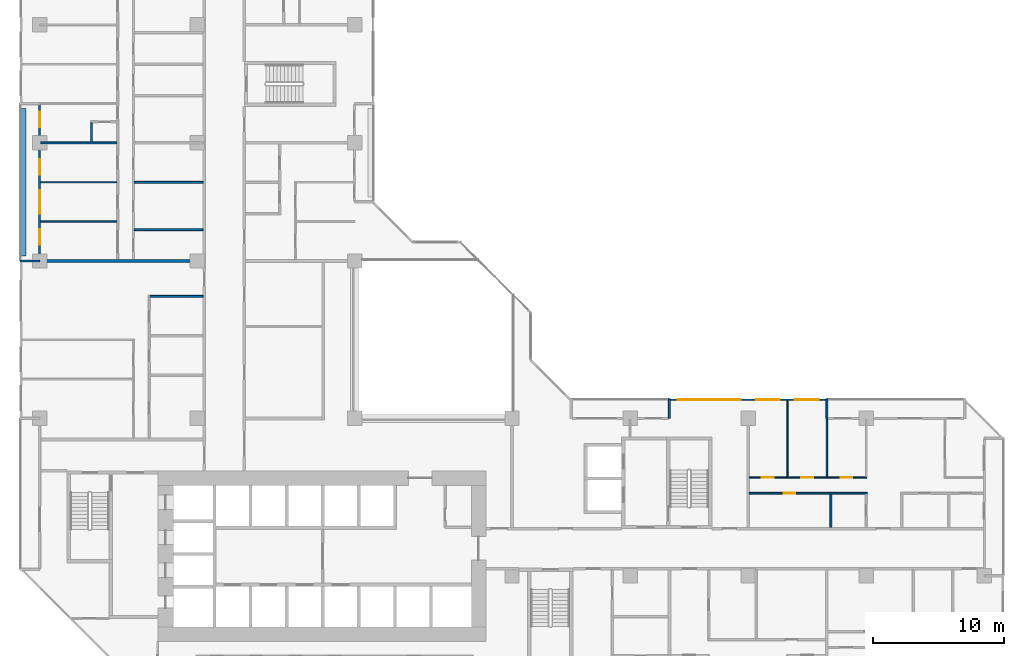
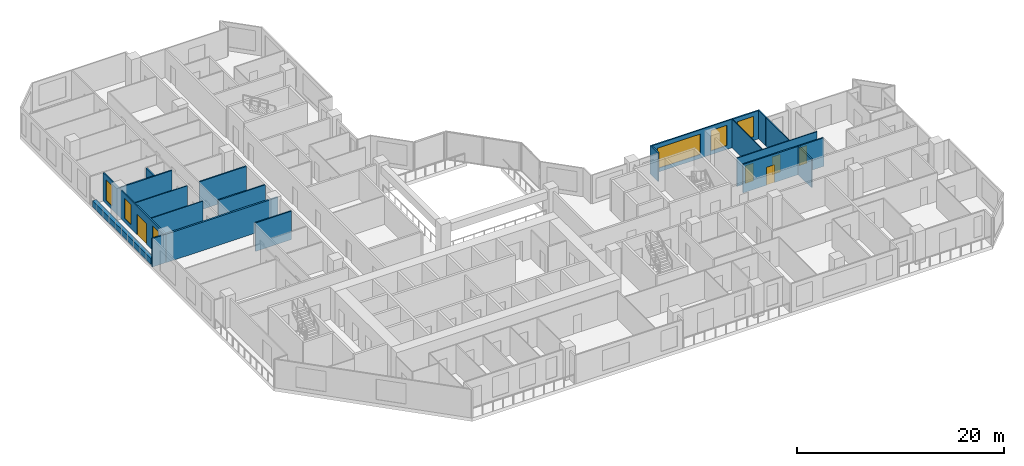
# One storey, part 8 of 15: 19 walls, 6 windows, 5 doors, 11 openings.
"""IFC4 building model written with IfcOpenShell, lengths in metres."""

from ifc_helpers import new_model, si_unit, direction, frame, frame_2d, origin, place, context, subcontext, project, spatial, rectangle, extrude, material, layer, layer_set, type_object, element, fill, save


model = new_model("IFC4")

# Units and contexts
model_context = context("Model", 3, precision=1e-05, world=origin(), true_north=direction((0.0, 1.0)))
body_context = subcontext(model_context, "Body", "Model", "MODEL_VIEW")
ifc_project = project(units=[si_unit("LENGTHUNIT", "METRE"), si_unit("AREAUNIT", "SQUARE_METRE"), si_unit("VOLUMEUNIT", "CUBIC_METRE"), si_unit("PLANEANGLEUNIT", "RADIAN"), si_unit("MASSUNIT", "GRAM", prefix="KILO")], contexts=[model_context])

# Site, building, storey
site_placement = place(None, origin())
site = spatial("IfcSite", under=ifc_project, at=site_placement, CompositionType="ELEMENT")
building_placement = place(site_placement, origin())
building = spatial("IfcBuilding", under=site, at=building_placement, Name="Chenar Terraces", CompositionType="ELEMENT")
storey_placement = place(building_placement, frame((0.0, 0.0, 60.14990234375)))
storey = spatial("IfcBuildingStorey", under=building, at=storey_placement, Name="L12", CompositionType="ELEMENT", Elevation=60.14990234375)

# Wall, openings, windows
ifc_material_1 = material(Name="Aluminium framed glazing", Category="aluminium")
ifc_layer_1 = layer(ifc_material_1, 0.14990234375)
ifc_layer_set_1 = layer_set([ifc_layer_1], Name="Aluminium framed glazing")
wall_type_1 = type_object("IfcWallType", Name="Glazed flush facade wall 150", PredefinedType="SOLIDWALL", material=ifc_layer_set_1)
wall_1_placement = place(storey_placement, frame((59.925048828125, 25.425048828125, 0.0), z_axis=(0.0, 0.0, 1.0), x_axis=(-1.0, 0.0, 0.0)))
wall_1 = element("IfcWall", 1, at=wall_1_placement, inside=storey, type_object=wall_type_1, Name="Glazed flush facade wall", PredefinedType="SOLIDWALL", context=body_context, shape_type="SweptSolid", body=[
    extrude(rectangle(XDim=11.85009765625, YDim=0.14990234375, at=frame_2d((5.925048828125, 0.0))), origin(), (0.0, 0.0, 1.0), 3.35009765625),
])
opening_1_placement = place(wall_1_placement, frame((0.5625, 0.0, 0.449951171875)))
opening_1 = element("IfcOpeningElement", 2, at=opening_1_placement, cuts=wall_1, Name="Opening W180x240", PredefinedType="OPENING", context=body_context, shape_type="SweptSolid", body=[
    extrude(rectangle(XDim=1.800048828125, YDim=2.39990234375, at=frame_2d((0.89990234375, 1.199951171875))), frame((0.0, 0.0849609375, 0.0), z_axis=(0.0, -1.0, 0.0), x_axis=(1.0, 0.0, 0.0)), (0.0, 0.0, 1.0), 0.169921875),
])
opening_2_placement = place(wall_1_placement, frame((3.52490234375, 0.0, 0.449951171875)))
opening_2 = element("IfcOpeningElement", 3, at=opening_2_placement, cuts=wall_1, Name="Opening W180x240", PredefinedType="OPENING", context=body_context, shape_type="SweptSolid", body=[
    extrude(rectangle(XDim=1.800048828125, YDim=2.39990234375, at=frame_2d((0.89990234375, 1.199951171875))), frame((0.0, 0.0849609375, 0.0), z_axis=(0.0, -1.0, 0.0), x_axis=(1.0, 0.0, 0.0)), (0.0, 0.0, 1.0), 0.169921875),
])
opening_3_placement = place(wall_1_placement, frame((6.487548828125, 0.0, 0.449951171875)))
opening_3 = element("IfcOpeningElement", 4, at=opening_3_placement, cuts=wall_1, Name="Opening W480x240", PredefinedType="OPENING", context=body_context, shape_type="SweptSolid", body=[
    extrude(rectangle(XDim=4.800048828125, YDim=2.39990234375, at=frame_2d((2.39990234375, 1.199951171875))), frame((0.0, 0.0849609375, 0.0), z_axis=(0.0, -1.0, 0.0), x_axis=(1.0, 0.0, 0.0)), (0.0, 0.0, 1.0), 0.169921875),
])
ifc_material_2 = material(Name="Low emissivity double glazing, aluminium frame", Category="aluminium")
window_type_1 = type_object("IfcWindowType", Name="Fixed light 1800 x 2400", PartitioningType="SINGLE_PANEL", PredefinedType="WINDOW", material=ifc_material_2)
window_1_placement = place(opening_1_placement, origin())
window_1 = element("IfcWindow", 5, at=window_1_placement, inside=storey, type_object=window_type_1, Name="Window", OverallHeight=2.39990234375, OverallWidth=1.800048828125, PartitioningType="SINGLE_PANEL", PredefinedType="WINDOW", context=body_context, shape_type="SweptSolid", body=[
    extrude(rectangle(XDim=1.800048828125, YDim=2.39990234375, at=frame_2d((0.89990234375, 1.199951171875))), frame((0.0, 0.030029296875, 0.0), z_axis=(0.0, -1.0, 0.0), x_axis=(1.0, 0.0, 0.0)), (0.0, 0.0, 1.0), 0.06005859375),
])
fill(opening_1, window_1)
window_2_placement = place(opening_2_placement, origin())
window_2 = element("IfcWindow", 6, at=window_2_placement, inside=storey, type_object=window_type_1, Name="Window", OverallHeight=2.39990234375, OverallWidth=1.800048828125, PartitioningType="SINGLE_PANEL", PredefinedType="WINDOW", context=body_context, shape_type="SweptSolid", body=[
    extrude(rectangle(XDim=1.800048828125, YDim=2.39990234375, at=frame_2d((0.89990234375, 1.199951171875))), frame((0.0, 0.030029296875, 0.0), z_axis=(0.0, -1.0, 0.0), x_axis=(1.0, 0.0, 0.0)), (0.0, 0.0, 1.0), 0.06005859375),
])
fill(opening_2, window_2)
ifc_material_3 = material(Name="Low emissivity double glazing, aluminium frame", Category="aluminium")
window_type_2 = type_object("IfcWindowType", Name="Fixed light 4800 x 2400", PartitioningType="SINGLE_PANEL", PredefinedType="WINDOW", material=ifc_material_3)
window_3_placement = place(opening_3_placement, origin())
window_3 = element("IfcWindow", 7, at=window_3_placement, inside=storey, type_object=window_type_2, Name="Window", OverallHeight=2.39990234375, OverallWidth=4.800048828125, PartitioningType="SINGLE_PANEL", PredefinedType="WINDOW", context=body_context, shape_type="SweptSolid", body=[
    extrude(rectangle(XDim=4.800048828125, YDim=2.39990234375, at=frame_2d((2.39990234375, 1.199951171875))), frame((0.0, 0.030029296875, 0.0), z_axis=(0.0, -1.0, 0.0), x_axis=(1.0, 0.0, 0.0)), (0.0, 0.0, 1.0), 0.06005859375),
])
fill(opening_3, window_3)

# Wall, openings, windows, door
ifc_material_4 = material(Name="Aluminium framed glazing", Category="aluminium")
ifc_layer_2 = layer(ifc_material_4, 0.14990234375)
ifc_layer_set_2 = layer_set([ifc_layer_2], Name="Aluminium framed glazing")
wall_type_2 = type_object("IfcWallType", Name="Glazed loggia back wall 150", PredefinedType="SOLIDWALL", material=ifc_layer_set_2)
wall_2_placement = place(storey_placement, frame((0.0, 47.925048828125, 0.0), z_axis=(0.0, 0.0, 1.0), x_axis=(0.0, -1.0, 0.0)))
wall_2 = element("IfcWall", 8, at=wall_2_placement, inside=storey, type_object=wall_type_2, Name="Glazed loggia back wall", PredefinedType="SOLIDWALL", context=body_context, shape_type="SweptSolid", body=[
    extrude(rectangle(XDim=11.85009765625, YDim=0.14990234375, at=frame_2d((5.925048828125, 0.0))), origin(), (0.0, 0.0, 1.0), 3.35009765625),
])
opening_4_placement = place(wall_2_placement, frame((0.53759765625, 0.0, 0.449951171875)))
opening_4 = element("IfcOpeningElement", 9, at=opening_4_placement, cuts=wall_2, Name="Opening W120x240", PredefinedType="OPENING", context=body_context, shape_type="SweptSolid", body=[
    extrude(rectangle(XDim=1.199951171875, YDim=2.39990234375, at=frame_2d((0.60009765625, 1.199951171875))), frame((0.0, 0.0849609375, 0.0), z_axis=(0.0, -1.0, 0.0), x_axis=(1.0, 0.0, 0.0)), (0.0, 0.0, 1.0), 0.169921875),
])
opening_5_placement = place(wall_2_placement, frame((4.14990234375, 0.0, 0.449951171875)))
opening_5 = element("IfcOpeningElement", 10, at=opening_5_placement, cuts=wall_2, Name="Opening W120x240", PredefinedType="OPENING", context=body_context, shape_type="SweptSolid", body=[
    extrude(rectangle(XDim=1.199951171875, YDim=2.39990234375, at=frame_2d((0.60009765625, 1.199951171875))), frame((0.0, 0.0849609375, 0.0), z_axis=(0.0, -1.0, 0.0), x_axis=(1.0, 0.0, 0.0)), (0.0, 0.0, 1.0), 0.169921875),
])
opening_6_placement = place(wall_2_placement, frame((6.52490234375, 0.0, 0.0)))
opening_6 = element("IfcOpeningElement", 11, at=opening_6_placement, cuts=wall_2, Name="Opening DL12-G3", PredefinedType="OPENING", context=body_context, shape_type="SweptSolid", body=[
    extrude(rectangle(XDim=1.800048828125, YDim=2.39990234375, at=frame_2d((0.89990234375, 1.199951171875))), frame((0.0, 0.0849609375, 0.0), z_axis=(0.0, -1.0, 0.0), x_axis=(1.0, 0.0, 0.0)), (0.0, 0.0, 1.0), 0.169921875),
])
opening_7_placement = place(wall_2_placement, frame((9.5, 0.0, 0.449951171875)))
opening_7 = element("IfcOpeningElement", 12, at=opening_7_placement, cuts=wall_2, Name="Opening W120x240", PredefinedType="OPENING", context=body_context, shape_type="SweptSolid", body=[
    extrude(rectangle(XDim=1.199951171875, YDim=2.39990234375, at=frame_2d((0.60009765625, 1.199951171875))), frame((0.0, 0.0849609375, 0.0), z_axis=(0.0, -1.0, 0.0), x_axis=(1.0, 0.0, 0.0)), (0.0, 0.0, 1.0), 0.169921875),
])
ifc_material_5 = material(Name="Low emissivity double glazing, aluminium frame", Category="aluminium")
window_type_3 = type_object("IfcWindowType", Name="Fixed light 1200 x 2400", PartitioningType="SINGLE_PANEL", PredefinedType="WINDOW", material=ifc_material_5)
window_4_placement = place(opening_4_placement, origin())
window_4 = element("IfcWindow", 13, at=window_4_placement, inside=storey, type_object=window_type_3, Name="Window", OverallHeight=2.39990234375, OverallWidth=1.199951171875, PartitioningType="SINGLE_PANEL", PredefinedType="WINDOW", context=body_context, shape_type="SweptSolid", body=[
    extrude(rectangle(XDim=1.199951171875, YDim=2.39990234375, at=frame_2d((0.60009765625, 1.199951171875))), frame((0.0, 0.030029296875, 0.0), z_axis=(0.0, -1.0, 0.0), x_axis=(1.0, 0.0, 0.0)), (0.0, 0.0, 1.0), 0.06005859375),
])
fill(opening_4, window_4)
window_5_placement = place(opening_5_placement, origin())
window_5 = element("IfcWindow", 14, at=window_5_placement, inside=storey, type_object=window_type_3, Name="Window", OverallHeight=2.39990234375, OverallWidth=1.199951171875, PartitioningType="SINGLE_PANEL", PredefinedType="WINDOW", context=body_context, shape_type="SweptSolid", body=[
    extrude(rectangle(XDim=1.199951171875, YDim=2.39990234375, at=frame_2d((0.60009765625, 1.199951171875))), frame((0.0, 0.030029296875, 0.0), z_axis=(0.0, -1.0, 0.0), x_axis=(1.0, 0.0, 0.0)), (0.0, 0.0, 1.0), 0.06005859375),
])
fill(opening_5, window_5)
window_6_placement = place(opening_7_placement, origin())
window_6 = element("IfcWindow", 15, at=window_6_placement, inside=storey, type_object=window_type_3, Name="Window", OverallHeight=2.39990234375, OverallWidth=1.199951171875, PartitioningType="SINGLE_PANEL", PredefinedType="WINDOW", context=body_context, shape_type="SweptSolid", body=[
    extrude(rectangle(XDim=1.199951171875, YDim=2.39990234375, at=frame_2d((0.60009765625, 1.199951171875))), frame((0.0, 0.030029296875, 0.0), z_axis=(0.0, -1.0, 0.0), x_axis=(1.0, 0.0, 0.0)), (0.0, 0.0, 1.0), 0.06005859375),
])
fill(opening_7, window_6)
ifc_material_6 = material(Name="Low emissivity double glazing, aluminium frame", Category="aluminium")
door_type_1 = type_object("IfcDoorType", Name="Loggia glazed double door 1800 x 2400", OperationType="DOUBLE_DOOR_SINGLE_SWING", PredefinedType="DOOR", material=ifc_material_6)
door_1_placement = place(opening_6_placement, frame((1.800048828125, 0.0, 0.0), z_axis=(0.0, 0.0, 1.0), x_axis=(-1.0, 0.0, 0.0)))
door_1 = element("IfcDoor", 16, at=door_1_placement, inside=storey, type_object=door_type_1, Name="Loggia glazed door", OperationType="DOUBLE_DOOR_SINGLE_SWING", OverallHeight=2.39990234375, OverallWidth=1.800048828125, PredefinedType="DOOR", context=body_context, shape_type="SweptSolid", body=[
    extrude(rectangle(XDim=1.800048828125, YDim=2.39990234375, at=frame_2d((0.89990234375, 1.199951171875))), frame((0.0, 0.02490234375, 0.0), z_axis=(0.0, -1.0, 0.0), x_axis=(1.0, 0.0, 0.0)), (0.0, 0.0, 1.0), 0.050048828125),
])
fill(opening_6, door_1)

# Walls
ifc_material_7 = material(Name="Gypsum board on steel studs", Category="steel")
ifc_layer_3 = layer(ifc_material_7, 0.10009765625)
ifc_layer_set_3 = layer_set([ifc_layer_3], Name="Gypsum board on steel studs")
wall_type_3 = type_object("IfcWallType", Name="Gypsum partition 100", PredefinedType="PARTITIONING", material=ifc_layer_set_3)
for number, where, z_axis, x_axis, name in (
    (17, (0.073974609375, 39.0, 0.0), (0.0, 0.0, 1.0), (1.0, 0.0, 0.0), "Partition L12-011"),
    (18, (0.073974609375, 42.0, 0.0), (0.0, 0.0, 1.0), (1.0, 0.0, 0.0), "Partition L12-012"),
):
    element("IfcWall", number, at=place(storey_placement, frame(where, z_axis=z_axis, x_axis=x_axis)), inside=storey, type_object=wall_type_3, Name=name, PredefinedType="PARTITIONING", context=body_context, shape_type="SweptSolid", body=[
        extrude(rectangle(XDim=5.801025390625, YDim=0.10009765625, at=frame_2d((2.900390625, 0.0))), origin(), (0.0, 0.0, 1.0), 3.35009765625),
    ])

# Wall, openings, doors
wall_3_placement = place(storey_placement, frame((54.10009765625, 19.5, 0.0), z_axis=(0.0, 0.0, 1.0), x_axis=(1.0, 0.0, 0.0)))
wall_3 = element("IfcWall", 19, at=wall_3_placement, inside=storey, type_object=wall_type_3, Name="Partition L12-080", PredefinedType="PARTITIONING", context=body_context, shape_type="SweptSolid", body=[
    extrude(rectangle(XDim=8.949951171875, YDim=0.10009765625, at=frame_2d((4.47509765625, 0.0))), origin(), (0.0, 0.0, 1.0), 3.35009765625),
])
opening_8_placement = place(wall_3_placement, frame((0.949951171875, 0.0, 0.0)))
opening_8 = element("IfcOpeningElement", 20, at=opening_8_placement, cuts=wall_3, Name="Opening DL12-5", PredefinedType="OPENING", context=body_context, shape_type="SweptSolid", body=[
    extrude(rectangle(XDim=0.89990234375, YDim=2.10009765625, at=frame_2d((0.449951171875, 1.050048828125))), frame((0.0, 0.06005859375, 0.0), z_axis=(0.0, -1.0, 0.0), x_axis=(1.0, 0.0, 0.0)), (0.0, 0.0, 1.0), 0.1201171875),
])
opening_9_placement = place(wall_3_placement, frame((3.949951171875, 0.0, 0.0)))
opening_9 = element("IfcOpeningElement", 21, at=opening_9_placement, cuts=wall_3, Name="Opening DL12-6", PredefinedType="OPENING", context=body_context, shape_type="SweptSolid", body=[
    extrude(rectangle(XDim=0.89990234375, YDim=2.10009765625, at=frame_2d((0.449951171875, 1.050048828125))), frame((0.0, 0.06005859375, 0.0), z_axis=(0.0, -1.0, 0.0), x_axis=(1.0, 0.0, 0.0)), (0.0, 0.0, 1.0), 0.1201171875),
])
opening_10_placement = place(wall_3_placement, frame((6.949951171875, 0.0, 0.0)))
opening_10 = element("IfcOpeningElement", 22, at=opening_10_placement, cuts=wall_3, Name="Opening DL12-7", PredefinedType="OPENING", context=body_context, shape_type="SweptSolid", body=[
    extrude(rectangle(XDim=0.89990234375, YDim=2.10009765625, at=frame_2d((0.449951171875, 1.050048828125))), frame((0.0, 0.06005859375, 0.0), z_axis=(0.0, -1.0, 0.0), x_axis=(1.0, 0.0, 0.0)), (0.0, 0.0, 1.0), 0.1201171875),
])
ifc_material_8 = material(Name="Veneered timber door leaf", Category="wood")
door_type_2 = type_object("IfcDoorType", Name="Door 900 x 2100", OperationType="SINGLE_SWING_LEFT", PredefinedType="DOOR", material=ifc_material_8)
door_2_placement = place(opening_8_placement, origin())
door_2 = element("IfcDoor", 23, at=door_2_placement, inside=storey, type_object=door_type_2, Name="Door DL12-5", OperationType="SINGLE_SWING_RIGHT", OverallHeight=2.10009765625, OverallWidth=0.89990234375, PredefinedType="DOOR", context=body_context, shape_type="SweptSolid", body=[
    extrude(rectangle(XDim=0.89990234375, YDim=2.10009765625, at=frame_2d((0.449951171875, 1.050048828125))), frame((0.0, 0.02490234375, 0.0), z_axis=(0.0, -1.0, 0.0), x_axis=(1.0, 0.0, 0.0)), (0.0, 0.0, 1.0), 0.050048828125),
])
fill(opening_8, door_2)
door_3_placement = place(opening_9_placement, origin())
door_3 = element("IfcDoor", 24, at=door_3_placement, inside=storey, type_object=door_type_2, Name="Door DL12-6", OperationType="SINGLE_SWING_RIGHT", OverallHeight=2.10009765625, OverallWidth=0.89990234375, PredefinedType="DOOR", context=body_context, shape_type="SweptSolid", body=[
    extrude(rectangle(XDim=0.89990234375, YDim=2.10009765625, at=frame_2d((0.449951171875, 1.050048828125))), frame((0.0, 0.02490234375, 0.0), z_axis=(0.0, -1.0, 0.0), x_axis=(1.0, 0.0, 0.0)), (0.0, 0.0, 1.0), 0.050048828125),
])
fill(opening_9, door_3)
door_4_placement = place(opening_10_placement, origin())
door_4 = element("IfcDoor", 25, at=door_4_placement, inside=storey, type_object=door_type_2, Name="Door DL12-7", OperationType="SINGLE_SWING_RIGHT", OverallHeight=2.10009765625, OverallWidth=0.89990234375, PredefinedType="DOOR", context=body_context, shape_type="SweptSolid", body=[
    extrude(rectangle(XDim=0.89990234375, YDim=2.10009765625, at=frame_2d((0.449951171875, 1.050048828125))), frame((0.0, 0.02490234375, 0.0), z_axis=(0.0, -1.0, 0.0), x_axis=(1.0, 0.0, 0.0)), (0.0, 0.0, 1.0), 0.050048828125),
])
fill(opening_10, door_4)

# Walls
wall_4_placement = place(storey_placement, frame((57.0, 19.550048828125, 0.0), z_axis=(0.0, 0.0, 1.0), x_axis=(0.0, 1.0, 0.0)))
element("IfcWall", 26, at=wall_4_placement, inside=storey, type_object=wall_type_3, Name="Partition L12-083", PredefinedType="PARTITIONING", context=body_context, shape_type="SweptSolid", body=[
    extrude(rectangle(XDim=5.801025390625, YDim=0.10009765625, at=frame_2d((2.900390625, 0.0))), origin(), (0.0, 0.0, 1.0), 3.35009765625),
])
wall_5_placement = place(storey_placement, frame((60.0, 19.550048828125, 0.0), z_axis=(0.0, 0.0, 1.0), x_axis=(0.0, 1.0, 0.0)))
element("IfcWall", 27, at=wall_5_placement, inside=storey, type_object=wall_type_3, Name="Partition L12-086", PredefinedType="PARTITIONING", context=body_context, shape_type="SweptSolid", body=[
    extrude(rectangle(XDim=4.449951171875, YDim=0.10009765625, at=frame_2d((2.22509765625, 0.0))), origin(), (0.0, 0.0, 1.0), 3.35009765625),
])
ifc_material_9 = material(Name="Terracotta cladding on insulated backing", Category="masonry")
ifc_layer_4 = layer(ifc_material_9, 0.14990234375)
ifc_layer_set_4 = layer_set([ifc_layer_4], Name="Terracotta cladding on insulated backing")
wall_type_4 = type_object("IfcWallType", Name="Loggia return wall 150", PredefinedType="SOLIDWALL", material=ifc_layer_set_4)
for number, where, z_axis, x_axis, name in (
    (28, (60.0, 25.5, 0.0), (0.0, 0.0, 1.0), (0.0, -1.0, 0.0), "Loggia return wall"),
    (29, (48.0, 25.5, 0.0), (0.0, 0.0, 1.0), (0.0, -1.0, 0.0), "Loggia return wall"),
    (30, (-1.5, 36.0, 0.0), (0.0, 0.0, 1.0), (1.0, 0.0, 0.0), "Loggia return wall"),
):
    element("IfcWall", number, at=place(storey_placement, frame(where, z_axis=z_axis, x_axis=x_axis)), inside=storey, type_object=wall_type_4, Name=name, PredefinedType="SOLIDWALL", context=body_context, shape_type="SweptSolid", body=[
        extrude(rectangle(XDim=1.5, YDim=0.14990234375, at=frame_2d((0.75, 0.0))), origin(), (0.0, 0.0, 1.0), 3.35009765625),
    ])
ifc_material_10 = material(Name="Twin gypsum board on steel studs with mineral wool", Category="steel")
ifc_layer_5 = layer(ifc_material_10, 0.199951171875)
ifc_layer_set_5 = layer_set([ifc_layer_5], Name="Twin gypsum board on steel studs with mineral wool")
wall_type_5 = type_object("IfcWallType", Name="Unit demising wall 200", PredefinedType="PARTITIONING", material=ifc_layer_set_5)
wall_6_placement = place(storey_placement, frame((0.0, 36.0, 0.0), z_axis=(0.0, 0.0, 1.0), x_axis=(1.0, 0.0, 0.0)))
element("IfcWall", 31, at=wall_6_placement, inside=storey, type_object=wall_type_5, Name="Partition L12-005", PredefinedType="PARTITIONING", context=body_context, shape_type="SweptSolid", body=[
    extrude(rectangle(XDim=12.449951171875, YDim=0.199951171875, at=frame_2d((6.22509765625, 0.0))), origin(), (0.0, 0.0, 1.0), 3.35009765625),
])
ifc_material_11 = material(Name="GRP planter trough")
ifc_layer_6 = layer(ifc_material_11, 0.39990234375)
ifc_layer_set_6 = layer_set([ifc_layer_6], Name="GRP planter trough")
wall_type_6 = type_object("IfcWallType", Name="Vertical greenery planter 400", PredefinedType="SOLIDWALL", material=ifc_layer_set_6)
wall_7_placement = place(storey_placement, frame((-1.22900390625, 47.625, 0.0), z_axis=(0.0, 0.0, 1.0), x_axis=(0.0, -1.0, 0.0)))
element("IfcWall", 32, at=wall_7_placement, inside=storey, type_object=wall_type_6, Name="Vertical greenery planter", PredefinedType="SOLIDWALL", context=body_context, shape_type="SweptSolid", body=[
    extrude(rectangle(XDim=11.25, YDim=0.39990234375, at=frame_2d((5.625, 0.0))), origin(), (0.0, 0.0, 1.0), 0.7001953125),
])
ifc_material_12 = material(Name="Moisture-resistant gypsum board on steel studs", Category="steel")
ifc_layer_7 = layer(ifc_material_12, 0.14990234375)
ifc_layer_set_7 = layer_set([ifc_layer_7], Name="Moisture-resistant gypsum board on steel studs")
wall_type_7 = type_object("IfcWallType", Name="Wet-room partition 150", PredefinedType="PARTITIONING", material=ifc_layer_set_7)
wall_8_placement = place(storey_placement, frame((0.073974609375, 45.0, 0.0), z_axis=(0.0, 0.0, 1.0), x_axis=(1.0, 0.0, 0.0)))
element("IfcWall", 33, at=wall_8_placement, inside=storey, type_object=wall_type_7, Name="Partition L12-013", PredefinedType="PARTITIONING", context=body_context, shape_type="SweptSolid", body=[
    extrude(rectangle(XDim=5.801025390625, YDim=0.14990234375, at=frame_2d((2.900390625, 0.0))), origin(), (0.0, 0.0, 1.0), 3.35009765625),
])
wall_9_placement = place(storey_placement, frame((3.949951171875, 45.074951171875, 0.0), z_axis=(0.0, 0.0, 1.0), x_axis=(0.0, 1.0, 0.0)))
element("IfcWall", 34, at=wall_9_placement, inside=storey, type_object=wall_type_7, Name="Partition L12-016", PredefinedType="PARTITIONING", context=body_context, shape_type="SweptSolid", body=[
    extrude(rectangle(XDim=1.449951171875, YDim=0.14990234375, at=frame_2d((0.72509765625, 0.0))), origin(), (0.0, 0.0, 1.0), 3.35009765625),
])
for number, where, z_axis, x_axis, name in (
    (35, (7.22509765625, 38.39990234375, 0.0), (0.0, 0.0, 1.0), (1.0, 0.0, 0.0), "Partition L12-020"),
    (36, (7.22509765625, 42.0, 0.0), (0.0, 0.0, 1.0), (1.0, 0.0, 0.0), "Partition L12-021"),
):
    element("IfcWall", number, at=place(storey_placement, frame(where, z_axis=z_axis, x_axis=x_axis)), inside=storey, type_object=wall_type_7, Name=name, PredefinedType="PARTITIONING", context=body_context, shape_type="SweptSolid", body=[
        extrude(rectangle(XDim=5.224853515625, YDim=0.14990234375, at=frame_2d((2.6123046875, 0.0))), origin(), (0.0, 0.0, 1.0), 3.35009765625),
    ])
wall_10_placement = place(storey_placement, frame((8.425048828125, 33.300048828125, 0.0), z_axis=(0.0, 0.0, 1.0), x_axis=(1.0, 0.0, 0.0)))
element("IfcWall", 37, at=wall_10_placement, inside=storey, type_object=wall_type_7, Name="Partition L12-030", PredefinedType="PARTITIONING", context=body_context, shape_type="SweptSolid", body=[
    extrude(rectangle(XDim=4.02490234375, YDim=0.14990234375, at=frame_2d((2.012451171875, 0.0))), origin(), (0.0, 0.0, 1.0), 3.35009765625),
])

# Wall, opening, door
wall_11_placement = place(storey_placement, frame((54.10009765625, 18.300048828125, 0.0), z_axis=(0.0, 0.0, 1.0), x_axis=(1.0, 0.0, 0.0)))
wall_11 = element("IfcWall", 38, at=wall_11_placement, inside=storey, type_object=wall_type_7, Name="Partition L12-079", PredefinedType="PARTITIONING", context=body_context, shape_type="SweptSolid", body=[
    extrude(rectangle(XDim=8.974853515625, YDim=0.14990234375, at=frame_2d((4.4873046875, 0.0))), origin(), (0.0, 0.0, 1.0), 3.35009765625),
])
opening_11_placement = place(wall_11_placement, frame((2.60009765625, 0.0, 0.0)))
opening_11 = element("IfcOpeningElement", 39, at=opening_11_placement, cuts=wall_11, Name="Opening DL12-8", PredefinedType="OPENING", context=body_context, shape_type="SweptSolid", body=[
    extrude(rectangle(XDim=0.89990234375, YDim=2.10009765625, at=frame_2d((0.449951171875, 1.050048828125))), frame((0.0, 0.0849609375, 0.0), z_axis=(0.0, -1.0, 0.0), x_axis=(1.0, 0.0, 0.0)), (0.0, 0.0, 1.0), 0.169921875),
])
door_5_placement = place(opening_11_placement, frame((0.89990234375, 0.0, 0.0), z_axis=(0.0, 0.0, 1.0), x_axis=(-1.0, 0.0, 0.0)))
door_5 = element("IfcDoor", 40, at=door_5_placement, inside=storey, type_object=door_type_2, Name="Door DL12-8", OperationType="SINGLE_SWING_LEFT", OverallHeight=2.10009765625, OverallWidth=0.89990234375, PredefinedType="DOOR", context=body_context, shape_type="SweptSolid", body=[
    extrude(rectangle(XDim=0.89990234375, YDim=2.10009765625, at=frame_2d((0.449951171875, 1.050048828125))), frame((0.0, 0.02490234375, 0.0), z_axis=(0.0, -1.0, 0.0), x_axis=(1.0, 0.0, 0.0)), (0.0, 0.0, 1.0), 0.050048828125),
])
fill(opening_11, door_5)

# Wall
wall_12_placement = place(storey_placement, frame((60.300048828125, 15.699951171875, 0.0), z_axis=(0.0, 0.0, 1.0), x_axis=(0.0, 1.0, 0.0)))
element("IfcWall", 41, at=wall_12_placement, inside=storey, type_object=wall_type_7, Name="Partition L12-089", PredefinedType="PARTITIONING", context=body_context, shape_type="SweptSolid", body=[
    extrude(rectangle(XDim=2.525146484375, YDim=0.14990234375, at=frame_2d((1.2626953125, 0.0))), origin(), (0.0, 0.0, 1.0), 3.35009765625),
])

save(model, "model.ifc")
